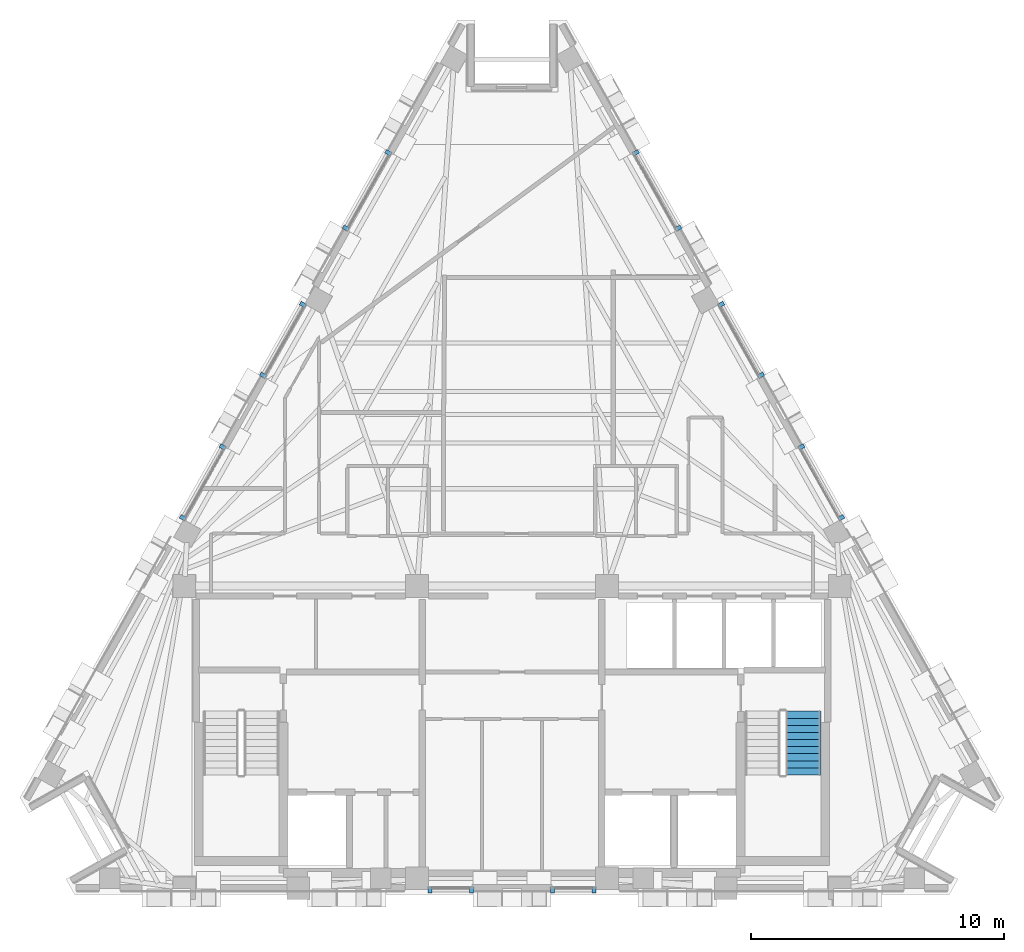
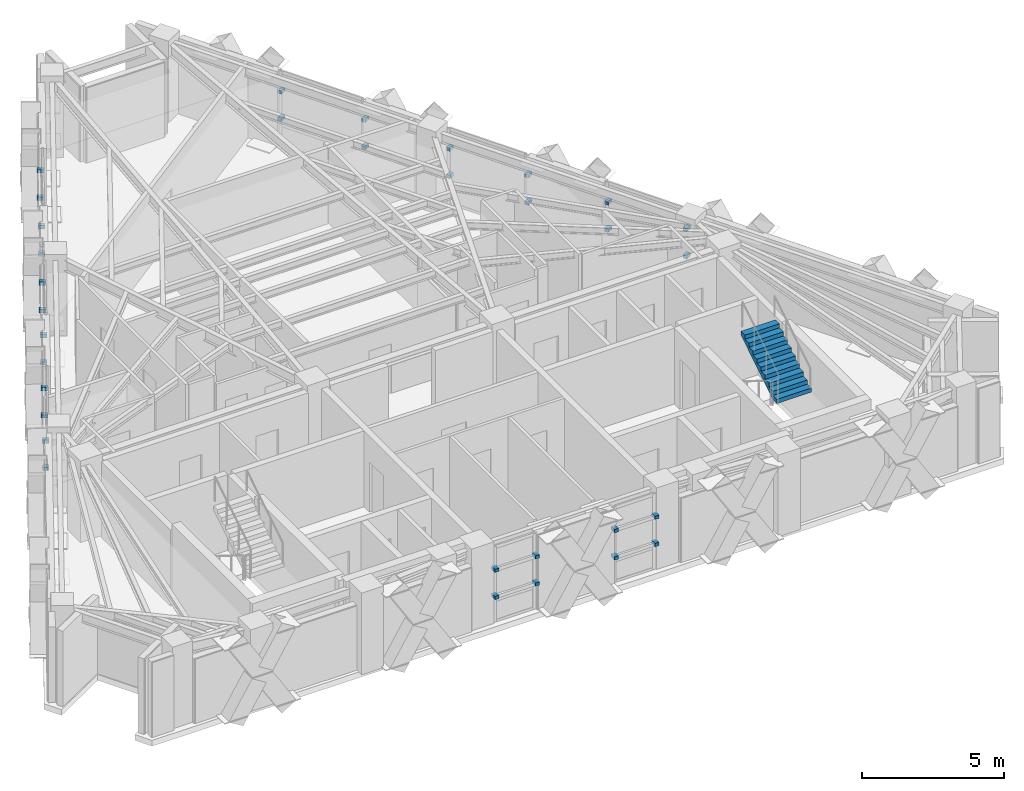
# One storey, part 9 of 11: 32 discrete accessories, 1 stair flight, 1 element without a shape of its own.
"""IFC4 building model written with IfcOpenShell, lengths in metres."""

from ifc_helpers import new_model, si_unit, direction, frame, origin, origin_2d, place, context, subcontext, project, spatial, polyline, rectangle, outline, extrude, material, layer, layer_set, type_object, element, aggregate, save


model = new_model("IFC4")

# Units and contexts
model_context = context("Model", 3, precision=1e-05, world=origin(), true_north=direction((0.0, 1.0)))
body_context = subcontext(model_context, "Body", "Model", "MODEL_VIEW")
ifc_project = project(units=[si_unit("LENGTHUNIT", "METRE"), si_unit("AREAUNIT", "SQUARE_METRE"), si_unit("VOLUMEUNIT", "CUBIC_METRE"), si_unit("PLANEANGLEUNIT", "RADIAN"), si_unit("MASSUNIT", "GRAM", prefix="KILO")], contexts=[model_context])

# Site, building, storey
site_placement = place(None, origin())
site = spatial("IfcSite", under=ifc_project, at=site_placement, CompositionType="ELEMENT")
building_placement = place(site_placement, origin())
building = spatial("IfcBuilding", under=site, at=building_placement, Name="Quenlor Broadcast Tower", CompositionType="ELEMENT")
storey_placement = place(building_placement, frame((0.0, 0.0, 242.89990234375)))
storey = spatial("IfcBuildingStorey", under=building, at=storey_placement, Name="L67", CompositionType="ELEMENT", Elevation=242.89990234375)

# Stair, stair flight
ifc_material_1 = material(Name="Precast concrete C40/50", Category="concrete")
stair_type = type_object("IfcStairType", Name="Precast Concrete C40/50 Dogleg Stair H350", PredefinedType="HALF_TURN_STAIR", material=ifc_material_1)
stair_placement = place(storey_placement, origin())
stair = element("IfcStair", 1, at=stair_placement, inside=storey, type_object=stair_type, Name="L67 East Core Fire-Isolated Exit Stair ST-2", PredefinedType="HALF_TURN_STAIR")
ifc_material_2 = material(Name="Precast concrete C40/50", Category="concrete")
ifc_layer = layer(ifc_material_2, 0.159912109375)
ifc_layer_set = layer_set([ifc_layer], Name="Precast Concrete C40/50 Stair Flight H350")
stair_flight_type = type_object("IfcStairFlightType", Name="Precast Concrete C40/50 Stair Flight H350", PredefinedType="STRAIGHT", material=ifc_layer_set)
stair_flight_placement = place(storey_placement, frame((11.5, -12.27001953125, 1.75), z_axis=(0.0, 0.0, 1.0), x_axis=(0.0, 1.0, 0.0)))
stair_flight = element("IfcStairFlight", 2, at=stair_flight_placement, type_object=stair_flight_type, Name="ST-2 flight 2", NumberOfRisers=10, NumberOfTreads=9, PredefinedType="STRAIGHT", RiserHeight=0.175, TreadLength=0.28, context=body_context, shape_type="SweptSolid", body=[
    extrude(outline(polyline([(0.0, 0.0), (0.0, 0.175048828125), (0.280029296875, 0.175048828125), (0.280029296875, 0.35009765625), (0.56005859375, 0.35009765625), (0.56005859375, 0.52490234375), (0.840087890625, 0.52490234375), (0.840087890625, 0.699951171875), (1.1201171875, 0.699951171875), (1.1201171875, 0.875), (1.39990234375, 0.875), (1.39990234375, 1.050048828125), (1.679931640625, 1.050048828125), (1.679931640625, 1.22509765625), (1.9599609375, 1.22509765625), (1.9599609375, 1.39990234375), (2.239990234375, 1.39990234375), (2.239990234375, 1.574951171875), (2.52001953125, 1.574951171875), (2.52001953125, 1.75), (2.52001953125, 1.398193359375), (0.28271484375, 0.0), (0.0, 0.0)])), frame((0.0, 0.699951171875, 0.0), z_axis=(0.0, -1.0, 0.0), x_axis=(1.0, 0.0, 0.0)), (0.0, 0.0, 1.0), 1.39990234375),
])
aggregate(stair, [stair_flight])

# Discrete accessories
ifc_material_3 = material(Name="Aluminium 6063-T6", Category="aluminium")
discrete_accessory_type = type_object("IfcDiscreteAccessoryType", Name="Stainless Mullion Baguette Support Bracket", PredefinedType="BRACKET", material=ifc_material_3)
for number, where, z_axis, x_axis, name in (
    (3, (3.24755859375, -16.81005859375, 1.10009765625), (0.0, 0.0, 1.0), (-1.0, 0.0, 0.0), "L67 Baguette Mullion Bracket 1.1"),
    (4, (1.60400390625, -16.81005859375, 1.10009765625), (0.0, 0.0, 1.0), (-1.0, 0.0, 0.0), "L67 Baguette Mullion Bracket 1.2"),
    (5, (3.24755859375, -16.81005859375, 2.27001953125), (0.0, 0.0, 1.0), (-1.0, 0.0, 0.0), "L67 Baguette Mullion Bracket 2.1"),
    (6, (1.60400390625, -16.81005859375, 2.27001953125), (0.0, 0.0, 1.0), (-1.0, 0.0, 0.0), "L67 Baguette Mullion Bracket 2.2"),
    (7, (-1.60400390625, -16.81005859375, 1.10009765625), (0.0, 0.0, 1.0), (-1.0, 0.0, 0.0), "L67 Baguette Mullion Bracket 1.1"),
    (8, (-3.24755859375, -16.81005859375, 1.10009765625), (0.0, 0.0, 1.0), (-1.0, 0.0, 0.0), "L67 Baguette Mullion Bracket 1.2"),
    (9, (-1.60400390625, -16.81005859375, 2.27001953125), (0.0, 0.0, 1.0), (-1.0, 0.0, 0.0), "L67 Baguette Mullion Bracket 2.1"),
    (10, (-3.24755859375, -16.81005859375, 2.27001953125), (0.0, 0.0, 1.0), (-1.0, 0.0, 0.0), "L67 Baguette Mullion Bracket 2.2"),
    (11, (4.891845703125, 12.315673828125, 1.10009765625), (0.0, 0.0, 1.0), (0.490249776801, -0.871581984868, 0.0), "L67 Baguette Mullion Bracket 1.1"),
    (12, (6.56787109375, 9.33642578125, 1.10009765625), (0.0, 0.0, 1.0), (0.490249776801, -0.871581984868, 0.0), "L67 Baguette Mullion Bracket 1.2"),
    (13, (4.891845703125, 12.315673828125, 2.27001953125), (0.0, 0.0, 1.0), (0.490249776801, -0.871581984868, 0.0), "L67 Baguette Mullion Bracket 2.1"),
    (14, (6.56787109375, 9.33642578125, 2.27001953125), (0.0, 0.0, 1.0), (0.490249776801, -0.871581984868, 0.0), "L67 Baguette Mullion Bracket 2.2"),
    (15, (8.26416015625, 6.3203125, 1.10009765625), (0.0, 0.0, 1.0), (0.490261946333, -0.871575139605, 0.0), "L67 Baguette Mullion Bracket 1.1"),
    (16, (9.83740234375, 3.523681640625, 1.10009765625), (0.0, 0.0, 1.0), (0.490261946333, -0.871575139605, 0.0), "L67 Baguette Mullion Bracket 1.2"),
    (17, (8.26416015625, 6.3203125, 2.27001953125), (0.0, 0.0, 1.0), (0.490261946333, -0.871575139605, 0.0), "L67 Baguette Mullion Bracket 2.1"),
    (18, (9.83740234375, 3.523681640625, 2.27001953125), (0.0, 0.0, 1.0), (0.490261946333, -0.871575139605, 0.0), "L67 Baguette Mullion Bracket 2.2"),
    (19, (11.431396484375, 0.690185546875, 1.10009765625), (0.0, 0.0, 1.0), (0.490261946333, -0.871575139605, 0.0), "L67 Baguette Mullion Bracket 1.1"),
    (20, (13.004638671875, -2.106689453125, 1.10009765625), (0.0, 0.0, 1.0), (0.490261946333, -0.871575139605, 0.0), "L67 Baguette Mullion Bracket 1.2"),
    (21, (11.431396484375, 0.690185546875, 2.27001953125), (0.0, 0.0, 1.0), (0.490261946333, -0.871575139605, 0.0), "L67 Baguette Mullion Bracket 2.1"),
    (22, (13.004638671875, -2.106689453125, 2.27001953125), (0.0, 0.0, 1.0), (0.490261946333, -0.871575139605, 0.0), "L67 Baguette Mullion Bracket 2.2"),
    (23, (-6.56787109375, 9.33642578125, 1.10009765625), (0.0, 0.0, 1.0), (0.490249776801, 0.871581984868, 0.0), "L67 Baguette Mullion Bracket 1.1"),
    (24, (-4.891845703125, 12.315673828125, 1.10009765625), (0.0, 0.0, 1.0), (0.490249776801, 0.871581984868, 0.0), "L67 Baguette Mullion Bracket 1.2"),
    (25, (-6.56787109375, 9.33642578125, 2.27001953125), (0.0, 0.0, 1.0), (0.490249776801, 0.871581984868, 0.0), "L67 Baguette Mullion Bracket 2.1"),
    (26, (-4.891845703125, 12.315673828125, 2.27001953125), (0.0, 0.0, 1.0), (0.490249776801, 0.871581984868, 0.0), "L67 Baguette Mullion Bracket 2.2"),
    (27, (-13.004638671875, -2.106689453125, 1.10009765625), (0.0, 0.0, 1.0), (0.490261946333, 0.871575139605, 0.0), "L67 Baguette Mullion Bracket 1.1"),
    (28, (-11.431396484375, 0.690185546875, 1.10009765625), (0.0, 0.0, 1.0), (0.490261946333, 0.871575139605, 0.0), "L67 Baguette Mullion Bracket 1.2"),
    (29, (-13.004638671875, -2.106689453125, 2.27001953125), (0.0, 0.0, 1.0), (0.490261946333, 0.871575139605, 0.0), "L67 Baguette Mullion Bracket 2.1"),
    (30, (-11.431396484375, 0.690185546875, 2.27001953125), (0.0, 0.0, 1.0), (0.490261946333, 0.871575139605, 0.0), "L67 Baguette Mullion Bracket 2.2"),
    (31, (-9.83740234375, 3.523681640625, 1.10009765625), (0.0, 0.0, 1.0), (0.490261946333, 0.871575139605, 0.0), "L67 Baguette Mullion Bracket 1.1"),
    (32, (-8.26416015625, 6.3203125, 1.10009765625), (0.0, 0.0, 1.0), (0.490261946333, 0.871575139605, 0.0), "L67 Baguette Mullion Bracket 1.2"),
    (33, (-9.83740234375, 3.523681640625, 2.27001953125), (0.0, 0.0, 1.0), (0.490261946333, 0.871575139605, 0.0), "L67 Baguette Mullion Bracket 2.1"),
    (34, (-8.26416015625, 6.3203125, 2.27001953125), (0.0, 0.0, 1.0), (0.490261946333, 0.871575139605, 0.0), "L67 Baguette Mullion Bracket 2.2"),
):
    element("IfcDiscreteAccessory", number, at=place(storey_placement, frame(where, z_axis=z_axis, x_axis=x_axis)), inside=storey, type_object=discrete_accessory_type, Name=name, PredefinedType="BRACKET", context=body_context, shape_type="SweptSolid", body=[
        extrude(rectangle(XDim=0.159912109375, YDim=0.239990234375, at=origin_2d()), origin(), (0.0, 0.0, 1.0), 0.139892578125),
    ])

save(model, "model.ifc")
